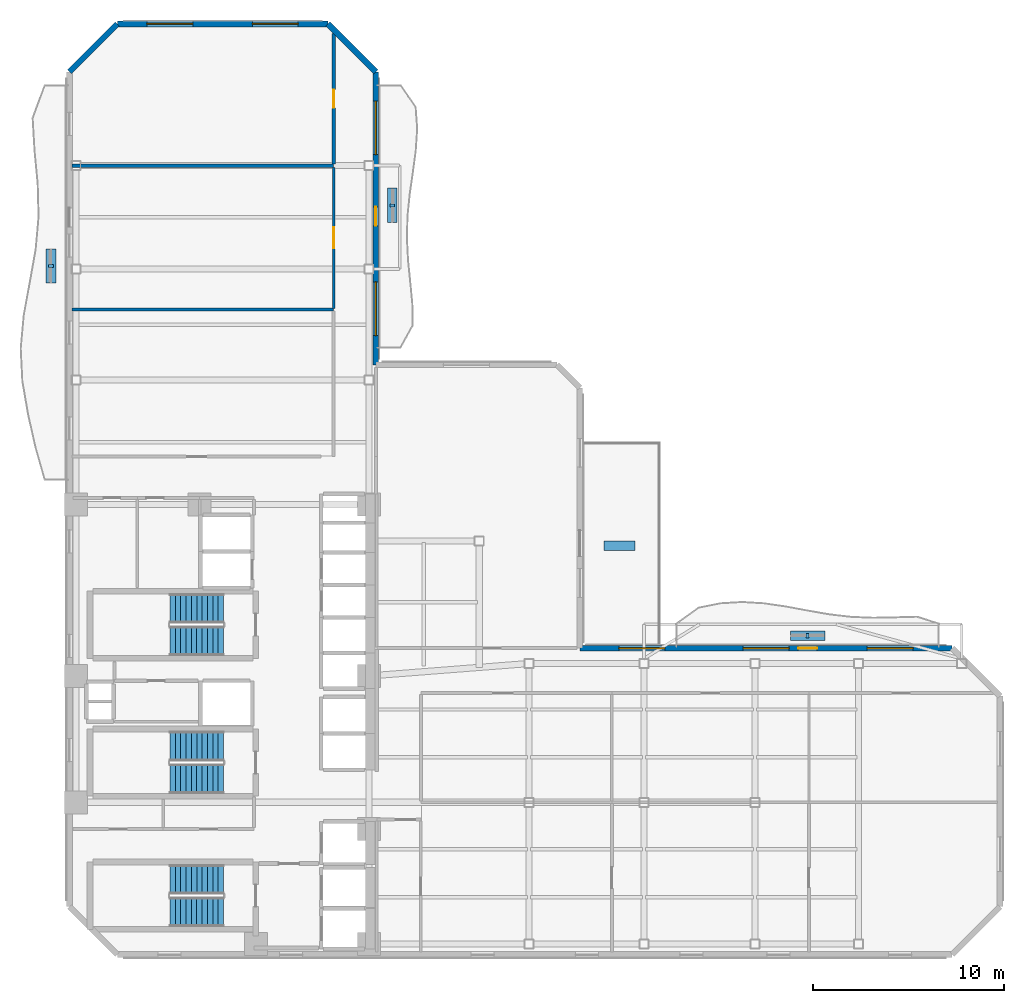
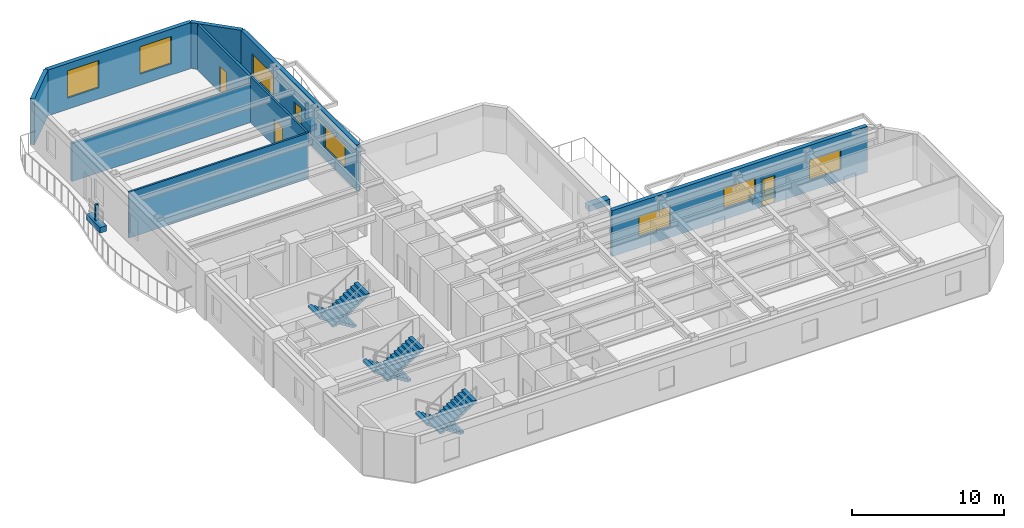
# One storey, part 6 of 11: 9 walls, 7 discrete accessories, 7 windows, 6 stair flights, 4 doors, 11 openings, 3 elements without a shape of their own.
"""IFC4 building model written with IfcOpenShell, lengths in metres."""

from ifc_helpers import new_model, si_unit, direction, frame, frame_2d, origin, origin_2d, place, context, subcontext, project, spatial, polyline, rectangle, outline, extrude, material, layer, layer_set, type_object, element, fill, aggregate, save


model = new_model("IFC4")

# Units and contexts
model_context = context("Model", 3, precision=1e-05, world=origin(), true_north=direction((0.0, 1.0)))
body_context = subcontext(model_context, "Body", "Model", "MODEL_VIEW")
ifc_project = project(units=[si_unit("LENGTHUNIT", "METRE"), si_unit("AREAUNIT", "SQUARE_METRE"), si_unit("VOLUMEUNIT", "CUBIC_METRE"), si_unit("PLANEANGLEUNIT", "RADIAN"), si_unit("MASSUNIT", "GRAM", prefix="KILO")], contexts=[model_context])

# Site, building, storey
site_placement = place(None, origin())
site = spatial("IfcSite", under=ifc_project, at=site_placement, CompositionType="ELEMENT")
building_placement = place(site_placement, origin())
building = spatial("IfcBuilding", under=site, at=building_placement, Name="Mawjaban Terraces University", CompositionType="ELEMENT")
storey_placement = place(building_placement, frame((0.0, 0.0, 103.39990234375)))
storey = spatial("IfcBuildingStorey", under=building, at=storey_placement, Name="L24", CompositionType="ELEMENT", Elevation=103.39990234375)

# Wall
ifc_material_1 = material(Name="Acoustic masonry blockwork", Category="masonry")
ifc_layer_1 = layer(ifc_material_1, 0.179931640625)
ifc_layer_set_1 = layer_set([ifc_layer_1], Name="Acoustic masonry blockwork")
wall_type_1 = type_object("IfcWallType", Name="AcousticStudioWall_180", PredefinedType="PARTITIONING", material=ifc_layer_set_1)
wall_1_placement = place(storey_placement, frame((35.800048828125, 41.199951171875, 0.0), z_axis=(0.0, 0.0, 1.0), x_axis=(-1.0, 0.0, 0.0)))
element("IfcWall", 1, at=wall_1_placement, inside=storey, type_object=wall_type_1, Name="L24 Computational Laboratory 9 Partition 12", PredefinedType="PARTITIONING", context=body_context, shape_type="SweptSolid", body=[
    extrude(rectangle(XDim=13.655029296875, YDim=0.179931640625, at=frame_2d((6.82763671875, 0.0))), origin(), (0.0, 0.0, 1.0), 3.07421875),
])

# Wall, opening, door
wall_2_placement = place(storey_placement, frame((35.800048828125, 48.094970703125, 0.0), z_axis=(0.0, 0.0, 1.0), x_axis=(0.0, -1.0, 0.0)))
wall_2 = element("IfcWall", 2, at=wall_2_placement, inside=storey, type_object=wall_type_1, Name="L24 Inner Terrace Gallery Corridor North Partition 30", PredefinedType="PARTITIONING", context=body_context, shape_type="SweptSolid", body=[
    extrude(rectangle(XDim=6.81005859375, YDim=0.179931640625, at=frame_2d((3.405029296875, 0.0))), origin(), (0.0, 0.0, 1.0), 3.690185546875),
])
opening_1_placement = place(wall_2_placement, frame((2.929931640625, 0.0, 0.0)))
opening_1 = element("IfcOpeningElement", 3, at=opening_1_placement, cuts=wall_2, Name="Opening ID-095", PredefinedType="OPENING", context=body_context, shape_type="SweptSolid", body=[
    extrude(rectangle(XDim=0.949951171875, YDim=2.10009765625, at=frame_2d((0.47509765625, 1.050048828125))), frame((0.0, 0.099853515625, 0.0), z_axis=(0.0, -1.0, 0.0), x_axis=(1.0, 0.0, 0.0)), (0.0, 0.0, 1.0), 0.199951171875),
])
ifc_material_2 = material(Name="Powder-coated steel frame and solid acoustic timber leaf", Category="steel")
door_type_1 = type_object("IfcDoorType", Name="StudioDoor_950x2100", OperationType="NOTDEFINED", PredefinedType="DOOR", material=ifc_material_2)
door_1_placement = place(opening_1_placement, origin())
door_1 = element("IfcDoor", 4, at=door_1_placement, inside=storey, type_object=door_type_1, Name="L24 Design Studio 10 Door", OperationType="SINGLE_SWING_LEFT", OverallHeight=2.10009765625, OverallWidth=0.949951171875, PredefinedType="DOOR", context=body_context, shape_type="SweptSolid", body=[
    extrude(rectangle(XDim=0.949951171875, YDim=2.10009765625, at=frame_2d((0.47509765625, 1.050048828125))), frame((0.0, 0.02490234375, 0.0), z_axis=(0.0, -1.0, 0.0), x_axis=(1.0, 0.0, 0.0)), (0.0, 0.0, 1.0), 0.050048828125),
])
fill(opening_1, door_1)

# Wall, openings, door, windows
ifc_material_3 = material(Name="Insulated terracotta rainscreen on concrete backup C40/50", Category="masonry")
ifc_layer_2 = layer(ifc_material_3, 0.300048828125)
ifc_layer_set_2 = layer_set([ifc_layer_2], Name="Insulated terracotta rainscreen on concrete backup C40/50")
wall_type_2 = type_object("IfcWallType", Name="ExtTerracottaWall_300", PredefinedType="SOLIDWALL", material=ifc_layer_set_2)
wall_3_placement = place(storey_placement, frame((68.10009765625, 16.0, 0.0), z_axis=(0.0, 0.0, 1.0), x_axis=(-1.0, 0.0, 0.0)))
wall_3 = element("IfcWall", 5, at=wall_3_placement, inside=storey, type_object=wall_type_2, Name="L24 Exterior Terracotta Wall 5", PredefinedType="SOLIDWALL", context=body_context, shape_type="SweptSolid", body=[
    extrude(rectangle(XDim=19.444091796875, YDim=0.300048828125, at=frame_2d((9.72216796875, 0.0))), origin(), (0.0, 0.0, 1.0), 3.690185546875),
])
opening_2_placement = place(wall_3_placement, frame((7.050048828125, 0.0, 0.0)))
opening_2 = element("IfcOpeningElement", 6, at=opening_2_placement, cuts=wall_3, Name="Opening BD-100", PredefinedType="OPENING", context=body_context, shape_type="SweptSolid", body=[
    extrude(rectangle(XDim=1.0, YDim=2.199951171875, at=frame_2d((0.5, 1.10009765625))), frame((0.0, 0.159912109375, 0.0), z_axis=(0.0, -1.0, 0.0), x_axis=(1.0, 0.0, 0.0)), (0.0, 0.0, 1.0), 0.320068359375),
])
opening_3_placement = place(wall_3_placement, frame((2.041015625, 0.0, 0.89990234375)))
opening_3 = element("IfcOpeningElement", 7, at=opening_3_placement, cuts=wall_3, Name="Opening W-05", PredefinedType="OPENING", context=body_context, shape_type="SweptSolid", body=[
    extrude(rectangle(XDim=2.39990234375, YDim=1.60009765625, at=frame_2d((1.199951171875, 0.800048828125))), frame((0.0, 0.159912109375, 0.0), z_axis=(0.0, -1.0, 0.0), x_axis=(1.0, 0.0, 0.0)), (0.0, 0.0, 1.0), 0.320068359375),
])
opening_4_placement = place(wall_3_placement, frame((8.52197265625, 0.0, 0.89990234375)))
opening_4 = element("IfcOpeningElement", 8, at=opening_4_placement, cuts=wall_3, Name="Opening W-05", PredefinedType="OPENING", context=body_context, shape_type="SweptSolid", body=[
    extrude(rectangle(XDim=2.39990234375, YDim=1.60009765625, at=frame_2d((1.199951171875, 0.800048828125))), frame((0.0, 0.159912109375, 0.0), z_axis=(0.0, -1.0, 0.0), x_axis=(1.0, 0.0, 0.0)), (0.0, 0.0, 1.0), 0.320068359375),
])
opening_5_placement = place(wall_3_placement, frame((15.0029296875, 0.0, 0.89990234375)))
opening_5 = element("IfcOpeningElement", 9, at=opening_5_placement, cuts=wall_3, Name="Opening W-05", PredefinedType="OPENING", context=body_context, shape_type="SweptSolid", body=[
    extrude(rectangle(XDim=2.39990234375, YDim=1.60009765625, at=frame_2d((1.199951171875, 0.800048828125))), frame((0.0, 0.159912109375, 0.0), z_axis=(0.0, -1.0, 0.0), x_axis=(1.0, 0.0, 0.0)), (0.0, 0.0, 1.0), 0.320068359375),
])
ifc_material_4 = material(Name="Thermally broken anodised aluminium and laminated safety glass", Category="aluminium")
door_type_2 = type_object("IfcDoorType", Name="BalconyGlazedDoor_1000x2200", OperationType="NOTDEFINED", PredefinedType="DOOR", material=ifc_material_4)
door_2_placement = place(opening_2_placement, origin())
door_2 = element("IfcDoor", 10, at=door_2_placement, inside=storey, type_object=door_type_2, Name="L24 Balcony Access Door inner_north", OperationType="SINGLE_SWING_LEFT", OverallHeight=2.199951171875, OverallWidth=1.0, PredefinedType="DOOR", context=body_context, shape_type="SweptSolid", body=[
    extrude(rectangle(XDim=1.0, YDim=2.199951171875, at=frame_2d((0.5, 1.10009765625))), frame((0.0, 0.02490234375, 0.0), z_axis=(0.0, -1.0, 0.0), x_axis=(1.0, 0.0, 0.0)), (0.0, 0.0, 1.0), 0.050048828125),
])
fill(opening_2, door_2)
ifc_material_5 = material(Name="Low-E solar-control double glazing in thermally broken aluminium frame", Category="aluminium")
window_type_1 = type_object("IfcWindowType", Name="Win_2400x1600", PartitioningType="SINGLE_PANEL", PredefinedType="WINDOW", material=ifc_material_5)
window_1_placement = place(opening_3_placement, origin())
window_1 = element("IfcWindow", 11, at=window_1_placement, inside=storey, type_object=window_type_1, Name="L24 Facade Window 5.1", OverallHeight=1.60009765625, OverallWidth=2.39990234375, PartitioningType="SINGLE_PANEL", PredefinedType="WINDOW", context=body_context, shape_type="SweptSolid", body=[
    extrude(rectangle(XDim=2.39990234375, YDim=1.60009765625, at=frame_2d((1.199951171875, 0.800048828125))), frame((0.0, 0.030029296875, 0.0), z_axis=(0.0, -1.0, 0.0), x_axis=(1.0, 0.0, 0.0)), (0.0, 0.0, 1.0), 0.06005859375),
])
fill(opening_3, window_1)
window_2_placement = place(opening_4_placement, origin())
window_2 = element("IfcWindow", 12, at=window_2_placement, inside=storey, type_object=window_type_1, Name="L24 Facade Window 5.2", OverallHeight=1.60009765625, OverallWidth=2.39990234375, PartitioningType="SINGLE_PANEL", PredefinedType="WINDOW", context=body_context, shape_type="SweptSolid", body=[
    extrude(rectangle(XDim=2.39990234375, YDim=1.60009765625, at=frame_2d((1.199951171875, 0.800048828125))), frame((0.0, 0.030029296875, 0.0), z_axis=(0.0, -1.0, 0.0), x_axis=(1.0, 0.0, 0.0)), (0.0, 0.0, 1.0), 0.06005859375),
])
fill(opening_4, window_2)
window_3_placement = place(opening_5_placement, origin())
window_3 = element("IfcWindow", 13, at=window_3_placement, inside=storey, type_object=window_type_1, Name="L24 Facade Window 5.3", OverallHeight=1.60009765625, OverallWidth=2.39990234375, PartitioningType="SINGLE_PANEL", PredefinedType="WINDOW", context=body_context, shape_type="SweptSolid", body=[
    extrude(rectangle(XDim=2.39990234375, YDim=1.60009765625, at=frame_2d((1.199951171875, 0.800048828125))), frame((0.0, 0.030029296875, 0.0), z_axis=(0.0, -1.0, 0.0), x_axis=(1.0, 0.0, 0.0)), (0.0, 0.0, 1.0), 0.06005859375),
])
fill(opening_5, window_3)

wall_4_placement = place(storey_placement, frame((38.0, 30.800048828125, 0.0), z_axis=(0.0, 0.0, 1.0), x_axis=(0.0, 1.0, 0.0)))
wall_4 = element("IfcWall", 14, at=wall_4_placement, inside=storey, type_object=wall_type_2, Name="L24 Exterior Terracotta Wall 9", PredefinedType="SOLIDWALL", context=body_context, shape_type="SweptSolid", body=[
    extrude(rectangle(XDim=15.300048828125, YDim=0.300048828125, at=frame_2d((7.64990234375, 0.0))), origin(), (0.0, 0.0, 1.0), 3.690185546875),
])
opening_6_placement = place(wall_4_placement, frame((7.25, 0.0, 0.0)))
opening_6 = element("IfcOpeningElement", 15, at=opening_6_placement, cuts=wall_4, Name="Opening BD-100", PredefinedType="OPENING", context=body_context, shape_type="SweptSolid", body=[
    extrude(rectangle(XDim=1.0, YDim=2.199951171875, at=frame_2d((0.5, 1.10009765625))), frame((0.0, 0.159912109375, 0.0), z_axis=(0.0, -1.0, 0.0), x_axis=(1.0, 0.0, 0.0)), (0.0, 0.0, 1.0), 0.320068359375),
])
opening_7_placement = place(wall_4_placement, frame((1.52490234375, 0.0, 0.89990234375)))
opening_7 = element("IfcOpeningElement", 16, at=opening_7_placement, cuts=wall_4, Name="Opening W-09", PredefinedType="OPENING", context=body_context, shape_type="SweptSolid", body=[
    extrude(rectangle(XDim=2.800048828125, YDim=1.800048828125, at=frame_2d((1.39990234375, 0.89990234375))), frame((0.0, 0.159912109375, 0.0), z_axis=(0.0, -1.0, 0.0), x_axis=(1.0, 0.0, 0.0)), (0.0, 0.0, 1.0), 0.320068359375),
])
opening_8_placement = place(wall_4_placement, frame((10.97509765625, 0.0, 0.89990234375)))
opening_8 = element("IfcOpeningElement", 17, at=opening_8_placement, cuts=wall_4, Name="Opening W-09", PredefinedType="OPENING", context=body_context, shape_type="SweptSolid", body=[
    extrude(rectangle(XDim=2.800048828125, YDim=1.800048828125, at=frame_2d((1.39990234375, 0.89990234375))), frame((0.0, 0.159912109375, 0.0), z_axis=(0.0, -1.0, 0.0), x_axis=(1.0, 0.0, 0.0)), (0.0, 0.0, 1.0), 0.320068359375),
])
door_3_placement = place(opening_6_placement, origin())
door_3 = element("IfcDoor", 18, at=door_3_placement, inside=storey, type_object=door_type_2, Name="L24 Balcony Access Door inner_east", OperationType="SINGLE_SWING_LEFT", OverallHeight=2.199951171875, OverallWidth=1.0, PredefinedType="DOOR", context=body_context, shape_type="SweptSolid", body=[
    extrude(rectangle(XDim=1.0, YDim=2.199951171875, at=frame_2d((0.5, 1.10009765625))), frame((0.0, 0.02490234375, 0.0), z_axis=(0.0, -1.0, 0.0), x_axis=(1.0, 0.0, 0.0)), (0.0, 0.0, 1.0), 0.050048828125),
])
fill(opening_6, door_3)
window_type_2 = type_object("IfcWindowType", Name="Win_2800x1800", PartitioningType="SINGLE_PANEL", PredefinedType="WINDOW", material=ifc_material_5)
window_4_placement = place(opening_7_placement, origin())
window_4 = element("IfcWindow", 19, at=window_4_placement, inside=storey, type_object=window_type_2, Name="L24 Facade Window 9.1", OverallHeight=1.800048828125, OverallWidth=2.800048828125, PartitioningType="SINGLE_PANEL", PredefinedType="WINDOW", context=body_context, shape_type="SweptSolid", body=[
    extrude(rectangle(XDim=2.800048828125, YDim=1.800048828125, at=frame_2d((1.39990234375, 0.89990234375))), frame((0.0, 0.030029296875, 0.0), z_axis=(0.0, -1.0, 0.0), x_axis=(1.0, 0.0, 0.0)), (0.0, 0.0, 1.0), 0.06005859375),
])
fill(opening_7, window_4)
window_5_placement = place(opening_8_placement, origin())
window_5 = element("IfcWindow", 20, at=window_5_placement, inside=storey, type_object=window_type_2, Name="L24 Facade Window 9.2", OverallHeight=1.800048828125, OverallWidth=2.800048828125, PartitioningType="SINGLE_PANEL", PredefinedType="WINDOW", context=body_context, shape_type="SweptSolid", body=[
    extrude(rectangle(XDim=2.800048828125, YDim=1.800048828125, at=frame_2d((1.39990234375, 0.89990234375))), frame((0.0, 0.030029296875, 0.0), z_axis=(0.0, -1.0, 0.0), x_axis=(1.0, 0.0, 0.0)), (0.0, 0.0, 1.0), 0.06005859375),
])
fill(opening_8, window_5)

# Wall
wall_5_placement = place(storey_placement, frame((38.0, 46.10009765625, 0.0), z_axis=(0.0, 0.0, 1.0), x_axis=(-0.707106781187, 0.707106781187, 0.0)))
element("IfcWall", 21, at=wall_5_placement, inside=storey, type_object=wall_type_2, Name="L24 Exterior Terracotta Wall 10", PredefinedType="SOLIDWALL", context=body_context, shape_type="SweptSolid", body=[
    extrude(rectangle(XDim=3.53564453125, YDim=0.300048828125, at=frame_2d((1.767822265625, 0.0))), origin(), (0.0, 0.0, 1.0), 3.690185546875),
])

# Wall, openings, windows
wall_6_placement = place(storey_placement, frame((35.5, 48.60009765625, 0.0), z_axis=(0.0, 0.0, 1.0), x_axis=(-1.0, 0.0, 0.0)))
wall_6 = element("IfcWall", 22, at=wall_6_placement, inside=storey, type_object=wall_type_2, Name="L24 Exterior Terracotta Wall 11", PredefinedType="SOLIDWALL", context=body_context, shape_type="SweptSolid", body=[
    extrude(rectangle(XDim=11.0, YDim=0.300048828125, at=frame_2d((5.5, 0.0))), origin(), (0.0, 0.0, 1.0), 3.690185546875),
])
opening_9_placement = place(wall_6_placement, frame((1.550048828125, 0.0, 0.89990234375)))
opening_9 = element("IfcOpeningElement", 23, at=opening_9_placement, cuts=wall_6, Name="Opening W-11", PredefinedType="OPENING", context=body_context, shape_type="SweptSolid", body=[
    extrude(rectangle(XDim=2.39990234375, YDim=2.199951171875, at=frame_2d((1.199951171875, 1.10009765625))), frame((0.0, 0.159912109375, 0.0), z_axis=(0.0, -1.0, 0.0), x_axis=(1.0, 0.0, 0.0)), (0.0, 0.0, 1.0), 0.320068359375),
])
opening_10_placement = place(wall_6_placement, frame((7.050048828125, 0.0, 0.89990234375)))
opening_10 = element("IfcOpeningElement", 24, at=opening_10_placement, cuts=wall_6, Name="Opening W-11", PredefinedType="OPENING", context=body_context, shape_type="SweptSolid", body=[
    extrude(rectangle(XDim=2.39990234375, YDim=2.199951171875, at=frame_2d((1.199951171875, 1.10009765625))), frame((0.0, 0.159912109375, 0.0), z_axis=(0.0, -1.0, 0.0), x_axis=(1.0, 0.0, 0.0)), (0.0, 0.0, 1.0), 0.320068359375),
])
window_type_3 = type_object("IfcWindowType", Name="Win_2400x2200", PartitioningType="SINGLE_PANEL", PredefinedType="WINDOW", material=ifc_material_5)
window_6_placement = place(opening_9_placement, origin())
window_6 = element("IfcWindow", 25, at=window_6_placement, inside=storey, type_object=window_type_3, Name="L24 Facade Window 11.1", OverallHeight=2.199951171875, OverallWidth=2.39990234375, PartitioningType="SINGLE_PANEL", PredefinedType="WINDOW", context=body_context, shape_type="SweptSolid", body=[
    extrude(rectangle(XDim=2.39990234375, YDim=2.199951171875, at=frame_2d((1.199951171875, 1.10009765625))), frame((0.0, 0.030029296875, 0.0), z_axis=(0.0, -1.0, 0.0), x_axis=(1.0, 0.0, 0.0)), (0.0, 0.0, 1.0), 0.06005859375),
])
fill(opening_9, window_6)
window_7_placement = place(opening_10_placement, origin())
window_7 = element("IfcWindow", 26, at=window_7_placement, inside=storey, type_object=window_type_3, Name="L24 Facade Window 11.2", OverallHeight=2.199951171875, OverallWidth=2.39990234375, PartitioningType="SINGLE_PANEL", PredefinedType="WINDOW", context=body_context, shape_type="SweptSolid", body=[
    extrude(rectangle(XDim=2.39990234375, YDim=2.199951171875, at=frame_2d((1.199951171875, 1.10009765625))), frame((0.0, 0.030029296875, 0.0), z_axis=(0.0, -1.0, 0.0), x_axis=(1.0, 0.0, 0.0)), (0.0, 0.0, 1.0), 0.06005859375),
])
fill(opening_10, window_7)

# Walls
wall_7_placement = place(storey_placement, frame((24.5, 48.60009765625, 0.0), z_axis=(0.0, 0.0, 1.0), x_axis=(-0.707106781187, -0.707106781187, 0.0)))
element("IfcWall", 27, at=wall_7_placement, inside=storey, type_object=wall_type_2, Name="L24 Exterior Terracotta Wall 12", PredefinedType="SOLIDWALL", context=body_context, shape_type="SweptSolid", body=[
    extrude(rectangle(XDim=3.53564453125, YDim=0.300048828125, at=frame_2d((1.767822265625, 0.0))), origin(), (0.0, 0.0, 1.0), 3.690185546875),
])
ifc_material_6 = material(Name="Moisture-resistant gypsum board on steel stud", Category="steel")
ifc_layer_3 = layer(ifc_material_6, 0.14501953125)
ifc_layer_set_3 = layer_set([ifc_layer_3], Name="Moisture-resistant gypsum board on steel stud")
wall_type_3 = type_object("IfcWallType", Name="LabPartition_145", PredefinedType="PARTITIONING", material=ifc_layer_set_3)
wall_8_placement = place(storey_placement, frame((35.800048828125, 33.679931640625, 0.0), z_axis=(0.0, 0.0, 1.0), x_axis=(-1.0, 0.0, 0.0)))
element("IfcWall", 28, at=wall_8_placement, inside=storey, type_object=wall_type_3, Name="L24 Classroom 8 Partition 11", PredefinedType="PARTITIONING", context=body_context, shape_type="SweptSolid", body=[
    extrude(rectangle(XDim=13.655029296875, YDim=0.14501953125, at=frame_2d((6.82763671875, 0.0))), origin(), (0.0, 0.0, 1.0), 3.690185546875),
])

# Wall, opening, door
wall_9_placement = place(storey_placement, frame((35.800048828125, 41.114990234375, 0.0), z_axis=(0.0, 0.0, 1.0), x_axis=(0.0, -1.0, 0.0)))
wall_9 = element("IfcWall", 29, at=wall_9_placement, inside=storey, type_object=wall_type_3, Name="L24 Inner Terrace Gallery Corridor North Partition 29", PredefinedType="PARTITIONING", context=body_context, shape_type="SweptSolid", body=[
    extrude(rectangle(XDim=7.366943359375, YDim=0.14501953125, at=frame_2d((3.68359375, 0.0))), origin(), (0.0, 0.0, 1.0), 3.690185546875),
])
opening_11_placement = place(wall_9_placement, frame((3.134033203125, 0.0, 0.0)))
opening_11 = element("IfcOpeningElement", 30, at=opening_11_placement, cuts=wall_9, Name="Opening ID-110", PredefinedType="OPENING", context=body_context, shape_type="SweptSolid", body=[
    extrude(rectangle(XDim=1.10009765625, YDim=2.14990234375, at=frame_2d((0.550048828125, 1.074951171875))), frame((0.0, 0.08251953125, 0.0), z_axis=(0.0, -1.0, 0.0), x_axis=(1.0, 0.0, 0.0)), (0.0, 0.0, 1.0), 0.1650390625),
])
door_type_3 = type_object("IfcDoorType", Name="LabDoor_1100x2150", OperationType="NOTDEFINED", PredefinedType="DOOR", material=ifc_material_2)
door_4_placement = place(opening_11_placement, origin())
door_4 = element("IfcDoor", 31, at=door_4_placement, inside=storey, type_object=door_type_3, Name="L24 Computational Laboratory 9 Door", OperationType="SINGLE_SWING_RIGHT", OverallHeight=2.14990234375, OverallWidth=1.10009765625, PredefinedType="DOOR", context=body_context, shape_type="SweptSolid", body=[
    extrude(rectangle(XDim=1.10009765625, YDim=2.14990234375, at=frame_2d((0.550048828125, 1.074951171875))), frame((0.0, 0.02490234375, 0.0), z_axis=(0.0, -1.0, 0.0), x_axis=(1.0, 0.0, 0.0)), (0.0, 0.0, 1.0), 0.050048828125),
])
fill(opening_11, door_4)

# Stair, stair flights
ifc_material_7 = material(Name="Concrete C40/50", Category="concrete")
stair_type = type_object("IfcStairType", Name="Stair_Core1550_H39", PredefinedType="HALF_TURN_STAIR", material=ifc_material_7)
stair_1_placement = place(storey_placement, origin())
stair_1 = element("IfcStair", 32, at=stair_1_placement, inside=storey, type_object=stair_type, Name="L24 Core Exit Stair 1", PredefinedType="HALF_TURN_STAIR")
stair_flight_type = type_object("IfcStairFlightType", Name="Flight_Core1550_H39", PredefinedType="STRAIGHT", material=ifc_material_7)
stair_flight_1_placement = place(storey_placement, frame((30.050048828125, 3.925048828125, 0.0), z_axis=(0.0, 0.0, 1.0), x_axis=(-1.0, 0.0, 0.0)))
stair_flight_1 = element("IfcStairFlight", 33, at=stair_flight_1_placement, type_object=stair_flight_type, Name="ST-1 flight 1", NumberOfRisers=11, NumberOfTreads=10, PredefinedType="STRAIGHT", RiserHeight=0.177272727, TreadLength=0.28, context=body_context, shape_type="SweptSolid", body=[
    extrude(outline(polyline([(0.0, 0.0), (0.0, 0.17724609375), (0.280029296875, 0.17724609375), (0.280029296875, 0.3544921875), (0.56005859375, 0.3544921875), (0.56005859375, 0.53173828125), (0.840087890625, 0.53173828125), (0.840087890625, 0.708984375), (1.1201171875, 0.708984375), (1.1201171875, 0.886474609375), (1.39990234375, 0.886474609375), (1.39990234375, 1.063720703125), (1.679931640625, 1.063720703125), (1.679931640625, 1.240966796875), (1.9599609375, 1.240966796875), (1.9599609375, 1.418212890625), (2.239990234375, 1.418212890625), (2.239990234375, 1.595458984375), (2.52001953125, 1.595458984375), (2.52001953125, 1.772705078125), (2.800048828125, 1.772705078125), (2.800048828125, 1.949951171875), (2.800048828125, 1.59521484375), (0.2802734375, 0.0), (0.0, 0.0)])), frame((0.0, 0.77490234375, 0.0), z_axis=(0.0, -1.0, 0.0), x_axis=(1.0, 0.0, 0.0)), (0.0, 0.0, 1.0), 1.550048828125),
])
stair_flight_2_placement = place(storey_placement, frame((27.25, 2.22509765625, 1.9501953125), z_axis=(0.0, 0.0, 1.0), x_axis=(1.0, 0.0, 0.0)))
stair_flight_2 = element("IfcStairFlight", 34, at=stair_flight_2_placement, type_object=stair_flight_type, Name="ST-1 flight 2", NumberOfRisers=11, NumberOfTreads=10, PredefinedType="STRAIGHT", RiserHeight=0.177272727, TreadLength=0.28, context=body_context, shape_type="SweptSolid", body=[
    extrude(outline(polyline([(0.0, 0.0), (0.0, 0.17724609375), (0.280029296875, 0.17724609375), (0.280029296875, 0.3544921875), (0.56005859375, 0.3544921875), (0.56005859375, 0.53173828125), (0.840087890625, 0.53173828125), (0.840087890625, 0.708984375), (1.1201171875, 0.708984375), (1.1201171875, 0.886474609375), (1.39990234375, 0.886474609375), (1.39990234375, 1.063720703125), (1.679931640625, 1.063720703125), (1.679931640625, 1.240966796875), (1.9599609375, 1.240966796875), (1.9599609375, 1.418212890625), (2.239990234375, 1.418212890625), (2.239990234375, 1.595458984375), (2.52001953125, 1.595458984375), (2.52001953125, 1.772705078125), (2.800048828125, 1.772705078125), (2.800048828125, 1.949951171875), (2.800048828125, 1.59521484375), (0.2802734375, 0.0), (0.0, 0.0)])), frame((0.0, 0.77490234375, 0.0), z_axis=(0.0, -1.0, 0.0), x_axis=(1.0, 0.0, 0.0)), (0.0, 0.0, 1.0), 1.550048828125),
])
aggregate(stair_1, [stair_flight_1, stair_flight_2])

stair_2_placement = place(storey_placement, origin())
stair_2 = element("IfcStair", 35, at=stair_2_placement, inside=storey, type_object=stair_type, Name="L24 Core Exit Stair 2", PredefinedType="HALF_TURN_STAIR")
stair_flight_3_placement = place(storey_placement, frame((30.050048828125, 18.074951171875, 0.0), z_axis=(0.0, 0.0, 1.0), x_axis=(-1.0, 0.0, 0.0)))
stair_flight_3 = element("IfcStairFlight", 36, at=stair_flight_3_placement, type_object=stair_flight_type, Name="ST-2 flight 1", NumberOfRisers=11, NumberOfTreads=10, PredefinedType="STRAIGHT", RiserHeight=0.177272727, TreadLength=0.28, context=body_context, shape_type="SweptSolid", body=[
    extrude(outline(polyline([(0.0, 0.0), (0.0, 0.17724609375), (0.280029296875, 0.17724609375), (0.280029296875, 0.3544921875), (0.56005859375, 0.3544921875), (0.56005859375, 0.53173828125), (0.840087890625, 0.53173828125), (0.840087890625, 0.708984375), (1.1201171875, 0.708984375), (1.1201171875, 0.886474609375), (1.39990234375, 0.886474609375), (1.39990234375, 1.063720703125), (1.679931640625, 1.063720703125), (1.679931640625, 1.240966796875), (1.9599609375, 1.240966796875), (1.9599609375, 1.418212890625), (2.239990234375, 1.418212890625), (2.239990234375, 1.595458984375), (2.52001953125, 1.595458984375), (2.52001953125, 1.772705078125), (2.800048828125, 1.772705078125), (2.800048828125, 1.949951171875), (2.800048828125, 1.59521484375), (0.2802734375, 0.0), (0.0, 0.0)])), frame((0.0, 0.77490234375, 0.0), z_axis=(0.0, -1.0, 0.0), x_axis=(1.0, 0.0, 0.0)), (0.0, 0.0, 1.0), 1.550048828125),
])
stair_flight_4_placement = place(storey_placement, frame((27.25, 16.375, 1.9501953125), z_axis=(0.0, 0.0, 1.0), x_axis=(1.0, 0.0, 0.0)))
stair_flight_4 = element("IfcStairFlight", 37, at=stair_flight_4_placement, type_object=stair_flight_type, Name="ST-2 flight 2", NumberOfRisers=11, NumberOfTreads=10, PredefinedType="STRAIGHT", RiserHeight=0.177272727, TreadLength=0.28, context=body_context, shape_type="SweptSolid", body=[
    extrude(outline(polyline([(0.0, 0.0), (0.0, 0.17724609375), (0.280029296875, 0.17724609375), (0.280029296875, 0.3544921875), (0.56005859375, 0.3544921875), (0.56005859375, 0.53173828125), (0.840087890625, 0.53173828125), (0.840087890625, 0.708984375), (1.1201171875, 0.708984375), (1.1201171875, 0.886474609375), (1.39990234375, 0.886474609375), (1.39990234375, 1.063720703125), (1.679931640625, 1.063720703125), (1.679931640625, 1.240966796875), (1.9599609375, 1.240966796875), (1.9599609375, 1.418212890625), (2.239990234375, 1.418212890625), (2.239990234375, 1.595458984375), (2.52001953125, 1.595458984375), (2.52001953125, 1.772705078125), (2.800048828125, 1.772705078125), (2.800048828125, 1.949951171875), (2.800048828125, 1.59521484375), (0.2802734375, 0.0), (0.0, 0.0)])), frame((0.0, 0.77490234375, 0.0), z_axis=(0.0, -1.0, 0.0), x_axis=(1.0, 0.0, 0.0)), (0.0, 0.0, 1.0), 1.550048828125),
])
aggregate(stair_2, [stair_flight_3, stair_flight_4])

stair_3_placement = place(storey_placement, origin())
stair_3 = element("IfcStair", 38, at=stair_3_placement, inside=storey, type_object=stair_type, Name="L24 Core Exit Stair 3", PredefinedType="HALF_TURN_STAIR")
stair_flight_5_placement = place(storey_placement, frame((30.050048828125, 10.875, 0.0), z_axis=(0.0, 0.0, 1.0), x_axis=(-1.0, 0.0, 0.0)))
stair_flight_5 = element("IfcStairFlight", 39, at=stair_flight_5_placement, type_object=stair_flight_type, Name="ST-3 flight 1", NumberOfRisers=11, NumberOfTreads=10, PredefinedType="STRAIGHT", RiserHeight=0.177272727, TreadLength=0.28, context=body_context, shape_type="SweptSolid", body=[
    extrude(outline(polyline([(0.0, 0.0), (0.0, 0.17724609375), (0.280029296875, 0.17724609375), (0.280029296875, 0.3544921875), (0.56005859375, 0.3544921875), (0.56005859375, 0.53173828125), (0.840087890625, 0.53173828125), (0.840087890625, 0.708984375), (1.1201171875, 0.708984375), (1.1201171875, 0.886474609375), (1.39990234375, 0.886474609375), (1.39990234375, 1.063720703125), (1.679931640625, 1.063720703125), (1.679931640625, 1.240966796875), (1.9599609375, 1.240966796875), (1.9599609375, 1.418212890625), (2.239990234375, 1.418212890625), (2.239990234375, 1.595458984375), (2.52001953125, 1.595458984375), (2.52001953125, 1.772705078125), (2.800048828125, 1.772705078125), (2.800048828125, 1.949951171875), (2.800048828125, 1.59521484375), (0.2802734375, 0.0), (0.0, 0.0)])), frame((0.0, 0.77490234375, 0.0), z_axis=(0.0, -1.0, 0.0), x_axis=(1.0, 0.0, 0.0)), (0.0, 0.0, 1.0), 1.550048828125),
])
stair_flight_6_placement = place(storey_placement, frame((27.25, 9.175048828125, 1.9501953125), z_axis=(0.0, 0.0, 1.0), x_axis=(1.0, 0.0, 0.0)))
stair_flight_6 = element("IfcStairFlight", 40, at=stair_flight_6_placement, type_object=stair_flight_type, Name="ST-3 flight 2", NumberOfRisers=11, NumberOfTreads=10, PredefinedType="STRAIGHT", RiserHeight=0.177272727, TreadLength=0.28, context=body_context, shape_type="SweptSolid", body=[
    extrude(outline(polyline([(0.0, 0.0), (0.0, 0.17724609375), (0.280029296875, 0.17724609375), (0.280029296875, 0.3544921875), (0.56005859375, 0.3544921875), (0.56005859375, 0.53173828125), (0.840087890625, 0.53173828125), (0.840087890625, 0.708984375), (1.1201171875, 0.708984375), (1.1201171875, 0.886474609375), (1.39990234375, 0.886474609375), (1.39990234375, 1.063720703125), (1.679931640625, 1.063720703125), (1.679931640625, 1.240966796875), (1.9599609375, 1.240966796875), (1.9599609375, 1.418212890625), (2.239990234375, 1.418212890625), (2.239990234375, 1.595458984375), (2.52001953125, 1.595458984375), (2.52001953125, 1.772705078125), (2.800048828125, 1.772705078125), (2.800048828125, 1.949951171875), (2.800048828125, 1.59521484375), (0.2802734375, 0.0), (0.0, 0.0)])), frame((0.0, 0.77490234375, 0.0), z_axis=(0.0, -1.0, 0.0), x_axis=(1.0, 0.0, 0.0)), (0.0, 0.0, 1.0), 1.550048828125),
])
aggregate(stair_3, [stair_flight_5, stair_flight_6])

# Discrete accessories
ifc_material_8 = material(Name="Stainless steel 316L", Category="steel")
discrete_accessory_type_1 = type_object("IfcDiscreteAccessoryType", Name="FacadeScreenBracket_Steel", PredefinedType="BRACKET", material=ifc_material_8)
for number, where, z_axis, x_axis, name in (
    (41, (21.0400390625, 35.958984375, 0.419921875), (0.0, 0.0, 1.0), (0.0, 1.0, 0.0), "L24 Balcony Screen Support Bracket west"),
    (42, (60.550048828125, 16.64501953125, 0.419921875), (0.0, 0.0, 1.0), (1.0, 0.0, 0.0), "L24 Balcony Screen Support Bracket inner_north"),
    (43, (38.85595703125, 39.12109375, 0.419921875), (0.0, 0.0, 1.0), (0.0, 1.0, 0.0), "L24 Balcony Screen Support Bracket inner_east"),
):
    element("IfcDiscreteAccessory", number, at=place(storey_placement, frame(where, z_axis=z_axis, x_axis=x_axis)), inside=storey, type_object=discrete_accessory_type_1, Name=name, PredefinedType="BRACKET", context=body_context, shape_type="SweptSolid", body=[
        extrude(rectangle(XDim=0.159912109375, YDim=0.239990234375, at=origin_2d()), origin(), (0.0, 0.0, 1.0), 1.300048828125),
    ])
ifc_material_9 = material(Name="Precast architectural terracotta planter with engineered planting soil", Category="masonry")
discrete_accessory_type_2 = type_object("IfcDiscreteAccessoryType", Name="IrrigatedPlanterTrough_450", PredefinedType="USERDEFINED", material=ifc_material_9)
for number, where, z_axis, x_axis, name in (
    (44, (21.0400390625, 35.958984375, -0.0048828125), (0.0, 0.0, 1.0), (0.0, 1.0, 0.0), "L24 Balcony Irrigated Planter west"),
    (45, (60.550048828125, 16.64501953125, -0.0048828125), (0.0, 0.0, 1.0), (1.0, 0.0, 0.0), "L24 Balcony Irrigated Planter inner_north"),
    (46, (38.85595703125, 39.12109375, -0.0048828125), (0.0, 0.0, 1.0), (0.0, 1.0, 0.0), "L24 Balcony Irrigated Planter inner_east"),
):
    element("IfcDiscreteAccessory", number, at=place(storey_placement, frame(where, z_axis=z_axis, x_axis=x_axis)), inside=storey, type_object=discrete_accessory_type_2, Name=name, ObjectType="PLANTER", PredefinedType="USERDEFINED", context=body_context, shape_type="SweptSolid", body=[
        extrude(rectangle(XDim=1.800048828125, YDim=0.5, at=origin_2d()), origin(), (0.0, 0.0, 1.0), 0.449951171875),
    ])
discrete_accessory_placement = place(storey_placement, frame((50.72802734375, 21.35009765625, -0.0048828125), z_axis=(0.0, 0.0, 1.0), x_axis=(1.0, 0.0, 0.0)))
element("IfcDiscreteAccessory", 47, at=discrete_accessory_placement, inside=storey, type_object=discrete_accessory_type_2, Name="L24 Terrace Planter TER-L24-CLIMB", ObjectType="PLANTER", PredefinedType="USERDEFINED", context=body_context, shape_type="SweptSolid", body=[
    extrude(rectangle(XDim=1.60009765625, YDim=0.5, at=origin_2d()), origin(), (0.0, 0.0, 1.0), 0.449951171875),
])

save(model, "model.ifc")
